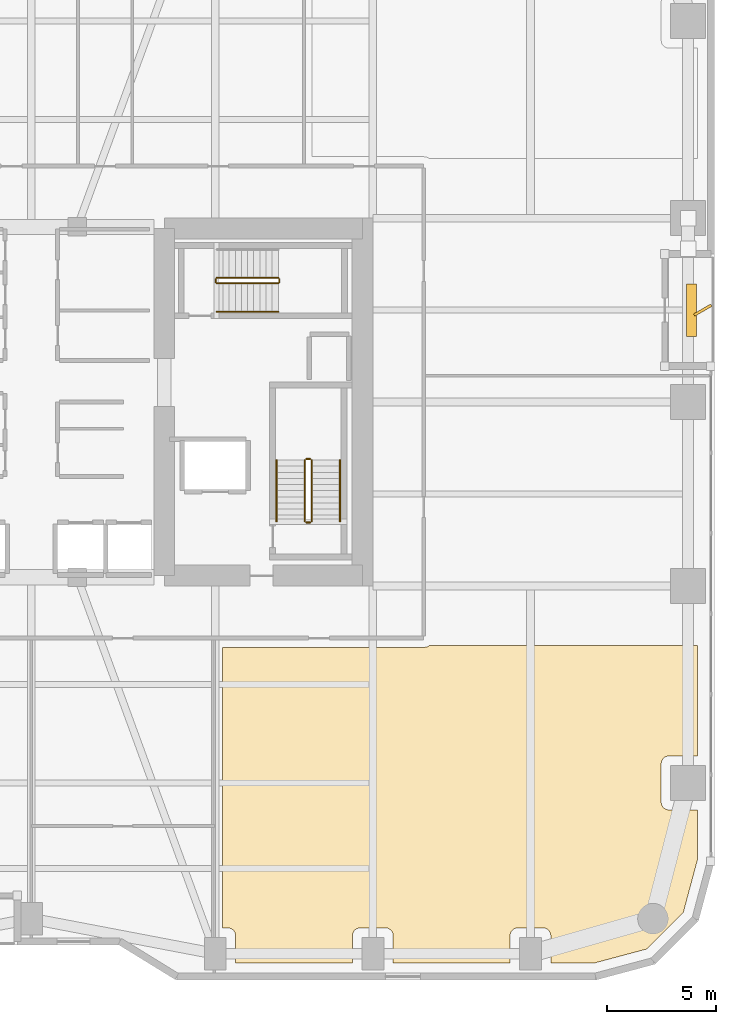
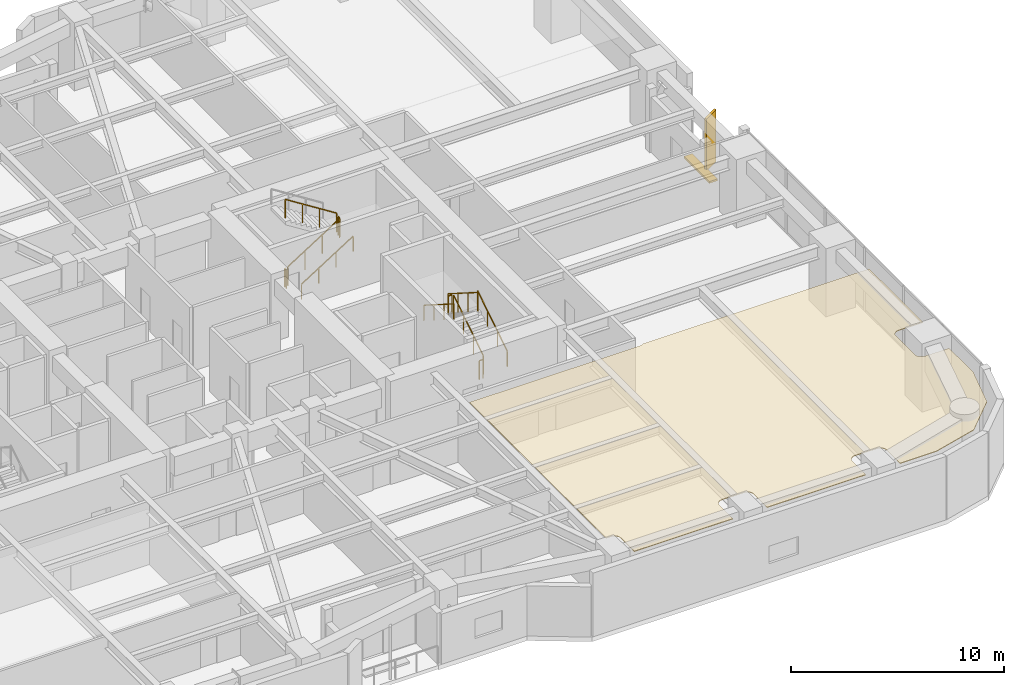
# One storey, part 27 of 28: 11 railings, 2 shading devices, 1 covering.
"""IFC4 building model written with IfcOpenShell, lengths in metres."""

from ifc_helpers import new_model, si_unit, direction, frame, origin, origin_2d, place, context, subcontext, project, spatial, polyline, rectangle, outline, extrude, material, layer, layer_set, type_object, element, save


model = new_model("IFC4")

# Units and contexts
model_context = context("Model", 3, precision=1e-05, world=origin(), true_north=direction((0.0, 1.0)))
body_context = subcontext(model_context, "Body", "Model", "MODEL_VIEW")
ifc_project = project(units=[si_unit("LENGTHUNIT", "METRE"), si_unit("AREAUNIT", "SQUARE_METRE"), si_unit("VOLUMEUNIT", "CUBIC_METRE"), si_unit("PLANEANGLEUNIT", "RADIAN"), si_unit("MASSUNIT", "GRAM", prefix="KILO")], contexts=[model_context])

# Site, building, storey
site_placement = place(None, origin())
site = spatial("IfcSite", under=ifc_project, at=site_placement, CompositionType="ELEMENT")
building_placement = place(site_placement, origin())
building = spatial("IfcBuilding", under=site, at=building_placement, Name="Kiyonajd Concourse Tower", CompositionType="ELEMENT")
storey_placement = place(building_placement, frame((0.0, 0.0, 41.10009765625)))
storey = spatial("IfcBuildingStorey", under=building, at=storey_placement, Name="L11", CompositionType="ELEMENT", Elevation=41.10009765625)

# Covering
ifc_material_1 = material(Name="Natural Oak Acoustic Timber Veneer", Category="wood")
ifc_layer = layer(ifc_material_1, 0.0400390625)
ifc_layer_set = layer_set([ifc_layer], Name="Natural Oak Acoustic Timber Veneer")
covering_type = type_object("IfcCoveringType", Name="CV-CLG-ACST", PredefinedType="CEILING", material=ifc_layer_set)
covering_placement = place(storey_placement, frame((0.0, 0.0, 3.4599609375)))
element("IfcCovering", 1, at=covering_placement, inside=storey, type_object=covering_type, Name="L11-46 Room Acoustic Ceiling", PredefinedType="CEILING", context=body_context, shape_type="SweptSolid", body=[
    extrude(outline(polyline([(56.72998046875, 11.97998046875), (56.72998046875, 24.7900390625), (65.925048828125, 24.7900390625), (66.054931640625, 24.81005859375), (66.117919921875, 24.8359375), (66.173095703125, 24.8701171875), (78.429931640625, 24.8701171875), (78.429931640625, 19.830078125), (77.1201171875, 19.830078125), (77.052001953125, 19.822998046875), (76.986083984375, 19.802978515625), (76.926025390625, 19.77099609375), (76.84912109375, 19.701904296875), (76.81103515625, 19.64501953125), (76.784912109375, 19.58203125), (76.77001953125, 19.47998046875), (76.77001953125, 17.719970703125), (76.784912109375, 17.617919921875), (76.81103515625, 17.554931640625), (76.84912109375, 17.498046875), (76.89794921875, 17.448974609375), (76.955078125, 17.410888671875), (77.01806640625, 17.385009765625), (77.0859375, 17.3720703125), (78.429931640625, 17.3701171875), (78.429931640625, 15.10107421875), (77.785888671875, 12.697998046875), (76.10205078125, 11.013916015625), (73.698974609375, 10.3701171875), (71.72998046875, 10.3701171875), (71.72802734375, 11.6640625), (71.715087890625, 11.73193359375), (71.68896484375, 11.794921875), (71.626953125, 11.876953125), (71.544921875, 11.93896484375), (71.48193359375, 11.965087890625), (71.4140625, 11.97802734375), (70.18603515625, 11.97802734375), (70.117919921875, 11.965087890625), (70.054931640625, 11.93896484375), (69.972900390625, 11.876953125), (69.910888671875, 11.794921875), (69.876953125, 11.697998046875), (69.8701171875, 11.6298828125), (69.8701171875, 10.3701171875), (64.530029296875, 10.3701171875), (64.528076171875, 11.6640625), (64.514892578125, 11.73193359375), (64.489013671875, 11.794921875), (64.427001953125, 11.876953125), (64.344970703125, 11.93896484375), (64.281982421875, 11.965087890625), (64.214111328125, 11.97802734375), (63.02001953125, 11.97998046875), (62.91796875, 11.965087890625), (62.85498046875, 11.93896484375), (62.798095703125, 11.90087890625), (62.7490234375, 11.85205078125), (62.7109375, 11.794921875), (62.677001953125, 11.697998046875), (62.669921875, 11.6298828125), (62.669921875, 10.3701171875), (57.330078125, 10.3701171875), (57.330078125, 11.6298828125), (57.322998046875, 11.697998046875), (57.302978515625, 11.763916015625), (57.27099609375, 11.823974609375), (57.22705078125, 11.876953125), (57.174072265625, 11.9208984375), (57.114013671875, 11.952880859375), (57.013916015625, 11.97802734375), (56.72998046875, 11.97998046875)])), origin(), (0.0, 0.0, 1.0), 0.0400390625),
])

# Railings
ifc_material_2 = material(Name="Steel ASTM A500 Grade C", Category="steel")
railing_type_1 = type_object("IfcRailingType", Name="RL-GRD-STR", PredefinedType="GUARDRAIL", material=ifc_material_2)
railing_1_placement = place(storey_placement, frame((60.800048828125, 30.550048828125, 0.17724609375)))
element("IfcRailing", 2, at=railing_1_placement, inside=storey, type_object=railing_type_1, Name="L11 ST2 stair guard 1", PredefinedType="GUARDRAIL", context=body_context, shape_type="SweptSolid", body=[
    extrude(rectangle(XDim=0.048095703125, YDim=0.048095703125, at=origin_2d()), frame((0.0, 0.0, 1.076171875), z_axis=(0.0, 0.844908973607, 0.534910110503), x_axis=(-1.0, 0.0, 0.0)), (0.0, 0.0, 1.0), 3.31396484375),
    extrude(rectangle(XDim=0.0419921875, YDim=0.0419921875, at=origin_2d()), origin(), (0.0, 0.0, 1.0), 1.052001953125),
    extrude(rectangle(XDim=0.0419921875, YDim=0.0419921875, at=origin_2d()), frame((0.0, 0.933349609375, 0.5908203125)), (0.0, 0.0, 1.0), 1.052001953125),
    extrude(rectangle(XDim=0.0419921875, YDim=0.0419921875, at=origin_2d()), frame((0.0, 1.86669921875, 1.181884765625)), (0.0, 0.0, 1.0), 1.052001953125),
    extrude(rectangle(XDim=0.0419921875, YDim=0.0419921875, at=origin_2d()), frame((0.0, 2.800048828125, 1.772705078125)), (0.0, 0.0, 1.0), 1.052001953125),
])
railing_2_placement = place(storey_placement, frame((60.75, 33.39990234375, 1.949951171875)))
element("IfcRailing", 3, at=railing_2_placement, inside=storey, type_object=railing_type_1, Name="L11 ST2 stair guard 2", PredefinedType="GUARDRAIL", context=body_context, shape_type="SweptSolid", body=[
    extrude(rectangle(XDim=0.048095703125, YDim=0.048095703125, at=origin_2d()), frame((0.0, 0.0, 1.076171875), z_axis=(-1.0, 0.0, 0.0), x_axis=(0.0, -1.0, 0.0)), (0.0, 0.0, 1.0), 0.199951171875),
    extrude(rectangle(XDim=0.0419921875, YDim=0.0419921875, at=origin_2d()), origin(), (0.0, 0.0, 1.0), 1.052001953125),
    extrude(rectangle(XDim=0.0419921875, YDim=0.0419921875, at=origin_2d()), frame((-0.199951171875, 0.0, 0.0)), (0.0, 0.0, 1.0), 1.052001953125),
])
railing_3_placement = place(storey_placement, frame((60.5, 33.35009765625, 2.127197265625)))
element("IfcRailing", 4, at=railing_3_placement, inside=storey, type_object=railing_type_1, Name="L11 ST2 stair guard 3", PredefinedType="GUARDRAIL", context=body_context, shape_type="SweptSolid", body=[
    extrude(rectangle(XDim=0.048095703125, YDim=0.048095703125, at=origin_2d()), frame((0.0, 0.0, 1.076171875), z_axis=(0.0, -0.844908973607, 0.534910110503), x_axis=(1.0, 0.0, 0.0)), (0.0, 0.0, 1.0), 3.31396484375),
    extrude(rectangle(XDim=0.0419921875, YDim=0.0419921875, at=origin_2d()), origin(), (0.0, 0.0, 1.0), 1.052001953125),
    extrude(rectangle(XDim=0.0419921875, YDim=0.0419921875, at=origin_2d()), frame((0.0, -0.933349609375, 0.5908203125)), (0.0, 0.0, 1.0), 1.052001953125),
    extrude(rectangle(XDim=0.0419921875, YDim=0.0419921875, at=origin_2d()), frame((0.0, -1.86669921875, 1.181884765625)), (0.0, 0.0, 1.0), 1.052001953125),
    extrude(rectangle(XDim=0.0419921875, YDim=0.0419921875, at=origin_2d()), frame((0.0, -2.800048828125, 1.772705078125)), (0.0, 0.0, 1.0), 1.052001953125),
])
railing_4_placement = place(storey_placement, frame((60.75, 30.5, 0.0)))
element("IfcRailing", 5, at=railing_4_placement, inside=storey, type_object=railing_type_1, Name="L11 ST2 stair guard 4", PredefinedType="GUARDRAIL", context=body_context, shape_type="SweptSolid", body=[
    extrude(rectangle(XDim=0.048095703125, YDim=0.048095703125, at=origin_2d()), frame((0.0, 0.0, 1.076171875), z_axis=(-1.0, 0.0, 0.0), x_axis=(0.0, -1.0, 0.0)), (0.0, 0.0, 1.0), 0.199951171875),
    extrude(rectangle(XDim=0.0419921875, YDim=0.0419921875, at=origin_2d()), origin(), (0.0, 0.0, 1.0), 1.052001953125),
    extrude(rectangle(XDim=0.0419921875, YDim=0.0419921875, at=origin_2d()), frame((-0.199951171875, 0.0, 0.0)), (0.0, 0.0, 1.0), 1.052001953125),
])
railing_5_placement = place(storey_placement, frame((56.47998046875, 41.429931640625, 0.17724609375)))
element("IfcRailing", 6, at=railing_5_placement, inside=storey, type_object=railing_type_1, Name="L11 ST3 stair guard 1", PredefinedType="GUARDRAIL", context=body_context, shape_type="SweptSolid", body=[
    extrude(rectangle(XDim=0.048095703125, YDim=0.048095703125, at=origin_2d()), frame((0.0, 0.0, 1.076171875), z_axis=(0.844908973607, 0.0, 0.534910110503), x_axis=(0.0, 1.0, 0.0)), (0.0, 0.0, 1.0), 3.31396484375),
    extrude(rectangle(XDim=0.0419921875, YDim=0.0419921875, at=origin_2d()), origin(), (0.0, 0.0, 1.0), 1.052001953125),
    extrude(rectangle(XDim=0.0419921875, YDim=0.0419921875, at=origin_2d()), frame((0.933349609375, 0.0, 0.5908203125)), (0.0, 0.0, 1.0), 1.052001953125),
    extrude(rectangle(XDim=0.0419921875, YDim=0.0419921875, at=origin_2d()), frame((1.86669921875, 0.0, 1.181884765625)), (0.0, 0.0, 1.0), 1.052001953125),
    extrude(rectangle(XDim=0.0419921875, YDim=0.0419921875, at=origin_2d()), frame((2.800048828125, 0.0, 1.772705078125)), (0.0, 0.0, 1.0), 1.052001953125),
])
railing_6_placement = place(storey_placement, frame((59.330078125, 41.47998046875, 1.949951171875)))
element("IfcRailing", 7, at=railing_6_placement, inside=storey, type_object=railing_type_1, Name="L11 ST3 stair guard 2", PredefinedType="GUARDRAIL", context=body_context, shape_type="SweptSolid", body=[
    extrude(rectangle(XDim=0.048095703125, YDim=0.048095703125, at=origin_2d()), frame((0.0, 0.0, 1.076171875), z_axis=(0.0, 1.0, 0.0), x_axis=(-1.0, 0.0, 0.0)), (0.0, 0.0, 1.0), 0.14013671875),
    extrude(rectangle(XDim=0.0419921875, YDim=0.0419921875, at=origin_2d()), origin(), (0.0, 0.0, 1.0), 1.052001953125),
    extrude(rectangle(XDim=0.0419921875, YDim=0.0419921875, at=origin_2d()), frame((0.0, 0.14013671875, 0.0)), (0.0, 0.0, 1.0), 1.052001953125),
])
railing_7_placement = place(storey_placement, frame((59.280029296875, 41.669921875, 2.127197265625)))
element("IfcRailing", 8, at=railing_7_placement, inside=storey, type_object=railing_type_1, Name="L11 ST3 stair guard 3", PredefinedType="GUARDRAIL", context=body_context, shape_type="SweptSolid", body=[
    extrude(rectangle(XDim=0.048095703125, YDim=0.048095703125, at=origin_2d()), frame((0.0, 0.0, 1.076171875), z_axis=(-0.844908973607, 0.0, 0.534910110503), x_axis=(0.0, -1.0, 0.0)), (0.0, 0.0, 1.0), 3.31396484375),
    extrude(rectangle(XDim=0.0419921875, YDim=0.0419921875, at=origin_2d()), origin(), (0.0, 0.0, 1.0), 1.052001953125),
    extrude(rectangle(XDim=0.0419921875, YDim=0.0419921875, at=origin_2d()), frame((-0.933349609375, 0.0, 0.5908203125)), (0.0, 0.0, 1.0), 1.052001953125),
    extrude(rectangle(XDim=0.0419921875, YDim=0.0419921875, at=origin_2d()), frame((-1.86669921875, 0.0, 1.181884765625)), (0.0, 0.0, 1.0), 1.052001953125),
    extrude(rectangle(XDim=0.0419921875, YDim=0.0419921875, at=origin_2d()), frame((-2.800048828125, 0.0, 1.772705078125)), (0.0, 0.0, 1.0), 1.052001953125),
])
railing_8_placement = place(storey_placement, frame((56.429931640625, 41.47998046875, 0.0)))
element("IfcRailing", 9, at=railing_8_placement, inside=storey, type_object=railing_type_1, Name="L11 ST3 stair guard 4", PredefinedType="GUARDRAIL", context=body_context, shape_type="SweptSolid", body=[
    extrude(rectangle(XDim=0.048095703125, YDim=0.048095703125, at=origin_2d()), frame((0.0, 0.0, 1.076171875), z_axis=(0.0, 1.0, 0.0), x_axis=(-1.0, 0.0, 0.0)), (0.0, 0.0, 1.0), 0.14013671875),
    extrude(rectangle(XDim=0.0419921875, YDim=0.0419921875, at=origin_2d()), origin(), (0.0, 0.0, 1.0), 1.052001953125),
    extrude(rectangle(XDim=0.0419921875, YDim=0.0419921875, at=origin_2d()), frame((0.0, 0.14013671875, 0.0)), (0.0, 0.0, 1.0), 1.052001953125),
])
ifc_material_3 = material(Name="Brushed Stainless Steel Cab Assembly", Category="steel")
railing_type_2 = type_object("IfcRailingType", Name="RL-HND-900", PredefinedType="HANDRAIL", material=ifc_material_3)
railing_9_placement = place(storey_placement, frame((62.10009765625, 30.550048828125, 0.17724609375)))
element("IfcRailing", 10, at=railing_9_placement, inside=storey, type_object=railing_type_2, Name="L11 ST2 stair handrail 1", PredefinedType="HANDRAIL", context=body_context, shape_type="SweptSolid", body=[
    extrude(rectangle(XDim=0.048095703125, YDim=0.048095703125, at=origin_2d()), frame((0.0, 0.0, 0.8759765625), z_axis=(0.0, 0.844908973607, 0.534910110503), x_axis=(-1.0, 0.0, 0.0)), (0.0, 0.0, 1.0), 3.31396484375),
    extrude(rectangle(XDim=0.0419921875, YDim=0.0419921875, at=origin_2d()), origin(), (0.0, 0.0, 1.0), 0.851806640625),
    extrude(rectangle(XDim=0.0419921875, YDim=0.0419921875, at=origin_2d()), frame((0.0, 0.933349609375, 0.5908203125)), (0.0, 0.0, 1.0), 0.851806640625),
    extrude(rectangle(XDim=0.0419921875, YDim=0.0419921875, at=origin_2d()), frame((0.0, 1.86669921875, 1.181884765625)), (0.0, 0.0, 1.0), 0.851806640625),
    extrude(rectangle(XDim=0.0419921875, YDim=0.0419921875, at=origin_2d()), frame((0.0, 2.800048828125, 1.772705078125)), (0.0, 0.0, 1.0), 0.851806640625),
])
railing_10_placement = place(storey_placement, frame((59.199951171875, 33.35009765625, 2.127197265625)))
element("IfcRailing", 11, at=railing_10_placement, inside=storey, type_object=railing_type_2, Name="L11 ST2 stair handrail 2", PredefinedType="HANDRAIL", context=body_context, shape_type="SweptSolid", body=[
    extrude(rectangle(XDim=0.048095703125, YDim=0.048095703125, at=origin_2d()), frame((0.0, 0.0, 0.8759765625), z_axis=(0.0, -0.844908973607, 0.534910110503), x_axis=(1.0, 0.0, 0.0)), (0.0, 0.0, 1.0), 3.31396484375),
    extrude(rectangle(XDim=0.0419921875, YDim=0.0419921875, at=origin_2d()), origin(), (0.0, 0.0, 1.0), 0.851806640625),
    extrude(rectangle(XDim=0.0419921875, YDim=0.0419921875, at=origin_2d()), frame((0.0, -0.933349609375, 0.5908203125)), (0.0, 0.0, 1.0), 0.851806640625),
    extrude(rectangle(XDim=0.0419921875, YDim=0.0419921875, at=origin_2d()), frame((0.0, -1.86669921875, 1.181884765625)), (0.0, 0.0, 1.0), 0.851806640625),
    extrude(rectangle(XDim=0.0419921875, YDim=0.0419921875, at=origin_2d()), frame((0.0, -2.800048828125, 1.772705078125)), (0.0, 0.0, 1.0), 0.851806640625),
])
railing_11_placement = place(storey_placement, frame((56.47998046875, 40.1298828125, 0.17724609375)))
element("IfcRailing", 12, at=railing_11_placement, inside=storey, type_object=railing_type_2, Name="L11 ST3 stair handrail 1", PredefinedType="HANDRAIL", context=body_context, shape_type="SweptSolid", body=[
    extrude(rectangle(XDim=0.048095703125, YDim=0.048095703125, at=origin_2d()), frame((0.0, 0.0, 0.8759765625), z_axis=(0.844908973607, 0.0, 0.534910110503), x_axis=(0.0, 1.0, 0.0)), (0.0, 0.0, 1.0), 3.31396484375),
    extrude(rectangle(XDim=0.0419921875, YDim=0.0419921875, at=origin_2d()), origin(), (0.0, 0.0, 1.0), 0.851806640625),
    extrude(rectangle(XDim=0.0419921875, YDim=0.0419921875, at=origin_2d()), frame((0.933349609375, 0.0, 0.5908203125)), (0.0, 0.0, 1.0), 0.851806640625),
    extrude(rectangle(XDim=0.0419921875, YDim=0.0419921875, at=origin_2d()), frame((1.86669921875, 0.0, 1.181884765625)), (0.0, 0.0, 1.0), 0.851806640625),
    extrude(rectangle(XDim=0.0419921875, YDim=0.0419921875, at=origin_2d()), frame((2.800048828125, 0.0, 1.772705078125)), (0.0, 0.0, 1.0), 0.851806640625),
])

# Shading devices
ifc_material_4 = material(Name="Precast concrete C50/60", Category="concrete")
shading_device_type_1 = type_object("IfcShadingDeviceType", Name="SH-FIN-900", PredefinedType="USERDEFINED", material=ifc_material_4)
shading_device_1_placement = place(storey_placement, frame((78.669921875, 40.199951171875, 0.0), z_axis=(0.0, 0.0, 1.0), x_axis=(0.866025403784, 0.5, 0.0)))
element("IfcShadingDevice", 13, at=shading_device_1_placement, inside=storey, type_object=shading_device_type_1, Name="L11 Angled Koshi Solar Fin LOG-E", ObjectType="FIN", PredefinedType="USERDEFINED", context=body_context, shape_type="SweptSolid", body=[
    extrude(rectangle(XDim=0.89990234375, YDim=0.1201171875, at=origin_2d()), origin(), (0.0, 0.0, 1.0), 3.0),
])
ifc_material_5 = material(Name="Thermally Broken Anodised Aluminium", Category="aluminium")
shading_device_type_2 = type_object("IfcShadingDeviceType", Name="SH-LVR-600", PredefinedType="JALOUSIE", material=ifc_material_5)
shading_device_2_placement = place(storey_placement, frame((78.14990234375, 40.199951171875, -0.000244140625), z_axis=(0.0, 0.0, 1.0), x_axis=(0.0, 1.0, 0.0)))
element("IfcShadingDevice", 14, at=shading_device_2_placement, inside=storey, type_object=shading_device_type_2, Name="L11 Loggia Threshold Louver LOG-E", PredefinedType="JALOUSIE", context=body_context, shape_type="SweptSolid", body=[
    extrude(rectangle(XDim=2.39990234375, YDim=0.449951171875, at=origin_2d()), origin(), (0.0, 0.0, 1.0), 0.10009765625),
])

save(model, "model.ifc")
